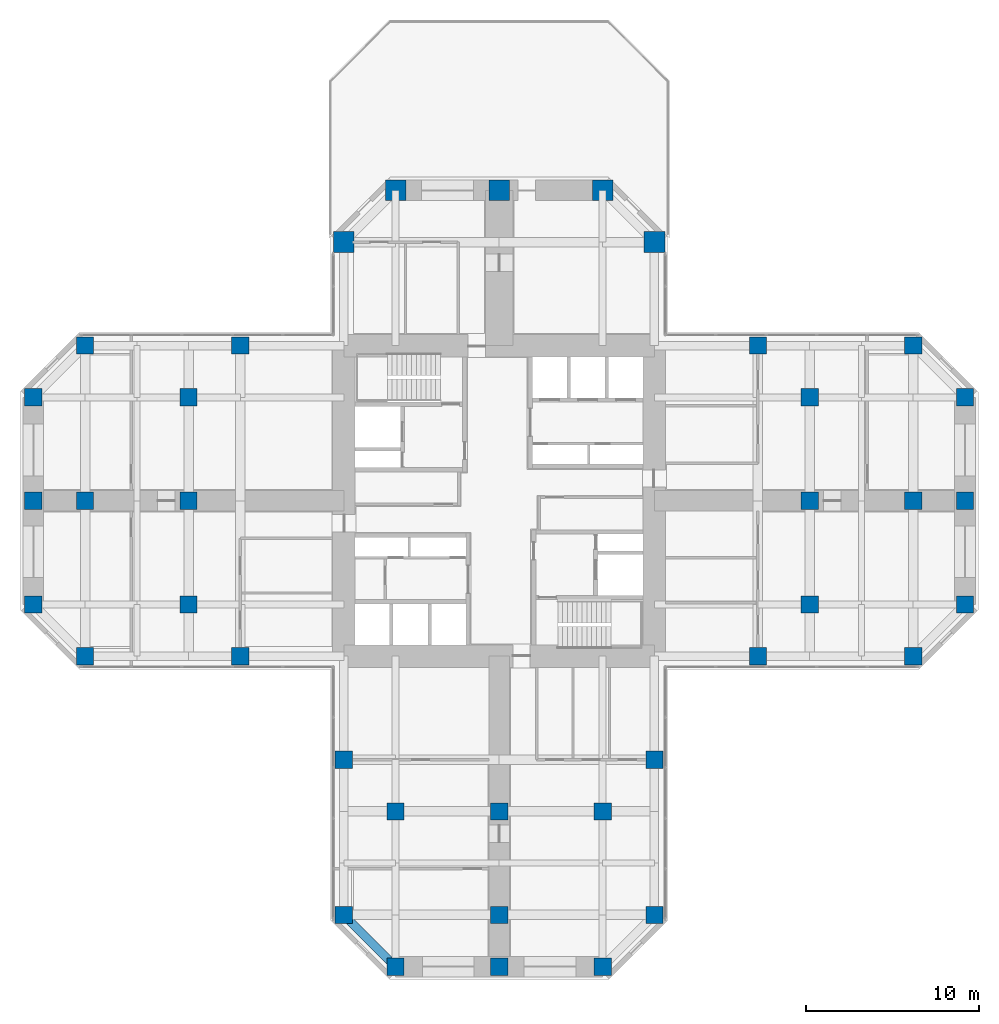
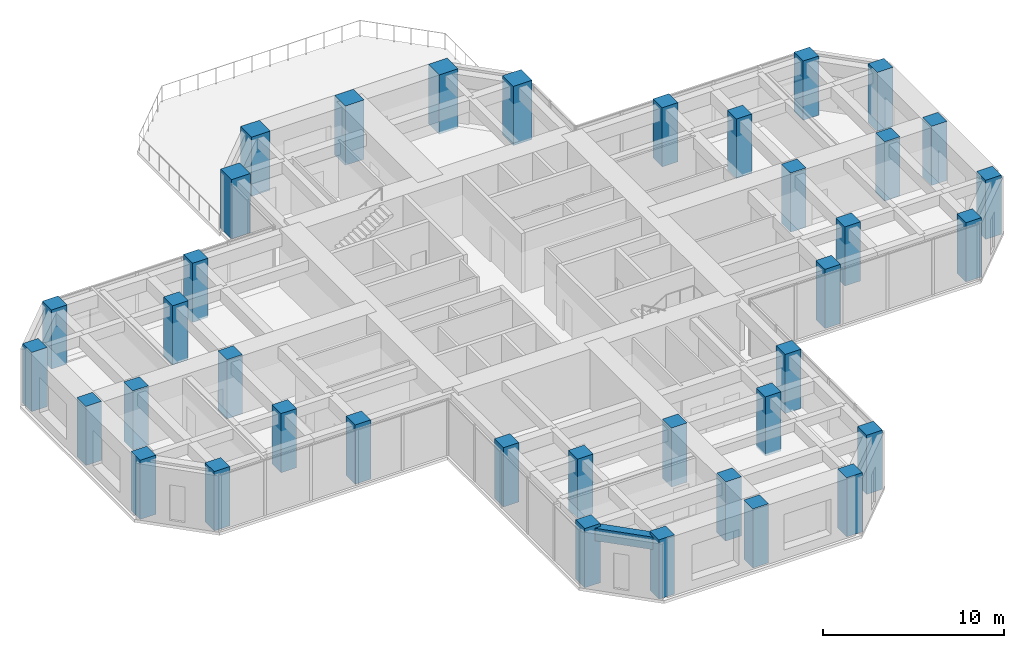
# One storey, part 1 of 12: 38 columns, 1 beam.
"""IFC4 building model written with IfcOpenShell, lengths in metres."""

from ifc_helpers import new_model, si_unit, direction, frame, origin, origin_2d, place, context, subcontext, project, spatial, rectangle, extrude, material, material_profile, profile_set, type_object, element, save


model = new_model("IFC4")

# Units and contexts
model_context = context("Model", 3, precision=1e-05, world=origin(), true_north=direction((0.0, 1.0)))
body_context = subcontext(model_context, "Body", "Model", "MODEL_VIEW")
ifc_project = project(units=[si_unit("LENGTHUNIT", "METRE"), si_unit("AREAUNIT", "SQUARE_METRE"), si_unit("VOLUMEUNIT", "CUBIC_METRE"), si_unit("PLANEANGLEUNIT", "RADIAN"), si_unit("MASSUNIT", "GRAM", prefix="KILO")], contexts=[model_context])

# Site, building, storey
site_placement = place(None, origin())
site = spatial("IfcSite", under=ifc_project, at=site_placement, CompositionType="ELEMENT")
building_placement = place(site_placement, origin())
building = spatial("IfcBuilding", under=site, at=building_placement, Name="Torre Cruceta", CompositionType="ELEMENT")
storey_placement = place(building_placement, frame((0.0, 0.0, 100.5)))
storey = spatial("IfcBuildingStorey", under=building, at=storey_placement, Name="L24", CompositionType="ELEMENT", Elevation=100.5)

# Columns
ifc_material_1 = material(Name="Concrete G60 (fck 60 MPa)", Category="concrete")
ifc_material_profile_1 = material_profile(ifc_material_1, rectangle(XDim=1.0, YDim=1.0, at=origin_2d()), Name="RC 1000X1000")
ifc_profile_set_1 = profile_set([ifc_material_profile_1], Name="Concrete G60 (fck 60 MPa)")
column_type_1 = type_object("IfcColumnType", Name="COLUMN RC 1000X1000", PredefinedType="COLUMN", material=ifc_profile_set_1)
for number, where, z_axis, x_axis, name in (
    (1, (15.0, -9.0, 0.0), (0.0, 0.0, 1.0), (1.0, 0.0, 0.0), "C5 L24 E side"),
    (2, (24.0, -9.0, 0.0), (0.0, 0.0, 1.0), (1.0, 0.0, 0.0), "C5 L24 E chamfer"),
    (3, (15.0, 9.0, 0.0), (0.0, 0.0, 1.0), (1.0, 0.0, 0.0), "C5 L24 E side"),
    (4, (24.0, 9.0, 0.0), (0.0, 0.0, 1.0), (1.0, 0.0, 0.0), "C5 L24 E chamfer"),
    (5, (27.0, -6.0, 0.0), (0.0, 0.0, 1.0), (1.0, 0.0, 0.0), "C5 L24 E tip"),
    (6, (27.0, 0.0, 0.0), (0.0, 0.0, 1.0), (1.0, 0.0, 0.0), "C5 L24 E tip"),
    (7, (27.0, 6.0, 0.0), (0.0, 0.0, 1.0), (1.0, 0.0, 0.0), "C5 L24 E tip"),
    (8, (-9.0, -15.0, 0.0), (0.0, 0.0, 1.0), (1.0, 0.0, 0.0), "C5 L24 S side"),
    (9, (-9.0, -24.0, 0.0), (0.0, 0.0, 1.0), (1.0, 0.0, 0.0), "C5 L24 S chamfer"),
    (10, (9.0, -15.0, 0.0), (0.0, 0.0, 1.0), (1.0, 0.0, 0.0), "C5 L24 S side"),
    (11, (9.0, -24.0, 0.0), (0.0, 0.0, 1.0), (1.0, 0.0, 0.0), "C5 L24 S chamfer"),
    (12, (-6.0, -27.0, 0.0), (0.0, 0.0, 1.0), (1.0, 0.0, 0.0), "C5 L24 S tip"),
    (13, (0.0, -27.0, 0.0), (0.0, 0.0, 1.0), (1.0, 0.0, 0.0), "C5 L24 S tip"),
    (14, (6.0, -27.0, 0.0), (0.0, 0.0, 1.0), (1.0, 0.0, 0.0), "C5 L24 S tip"),
    (15, (-15.0, 9.0, 0.0), (0.0, 0.0, 1.0), (1.0, 0.0, 0.0), "C5 L24 W side"),
    (16, (-24.0, 9.0, 0.0), (0.0, 0.0, 1.0), (1.0, 0.0, 0.0), "C5 L24 W chamfer"),
    (17, (-15.0, -9.0, 0.0), (0.0, 0.0, 1.0), (1.0, 0.0, 0.0), "C5 L24 W side"),
    (18, (-24.0, -9.0, 0.0), (0.0, 0.0, 1.0), (1.0, 0.0, 0.0), "C5 L24 W chamfer"),
    (19, (-27.0, 6.0, 0.0), (0.0, 0.0, 1.0), (1.0, 0.0, 0.0), "C5 L24 W tip"),
    (20, (-27.0, 0.0, 0.0), (0.0, 0.0, 1.0), (1.0, 0.0, 0.0), "C5 L24 W tip"),
    (21, (-27.0, -6.0, 0.0), (0.0, 0.0, 1.0), (1.0, 0.0, 0.0), "C5 L24 W tip"),
    (22, (18.0, -6.0, 0.0), (0.0, 0.0, 1.0), (1.0, 0.0, 0.0), "C5 L24 E interior"),
    (23, (18.0, 0.0, 0.0), (0.0, 0.0, 1.0), (1.0, 0.0, 0.0), "C5 L24 E interior"),
    (24, (18.0, 6.0, 0.0), (0.0, 0.0, 1.0), (1.0, 0.0, 0.0), "C5 L24 E interior"),
    (25, (24.0, 0.0, 0.0), (0.0, 0.0, 1.0), (1.0, 0.0, 0.0), "C5 L24 E interior"),
    (26, (-6.0, -18.0, 0.0), (0.0, 0.0, 1.0), (1.0, 0.0, 0.0), "C5 L24 S interior"),
    (27, (0.0, -18.0, 0.0), (0.0, 0.0, 1.0), (1.0, 0.0, 0.0), "C5 L24 S interior"),
    (28, (6.0, -18.0, 0.0), (0.0, 0.0, 1.0), (1.0, 0.0, 0.0), "C5 L24 S interior"),
    (29, (0.0, -24.0, 0.0), (0.0, 0.0, 1.0), (1.0, 0.0, 0.0), "C5 L24 S interior"),
    (30, (-18.0, 6.0, 0.0), (0.0, 0.0, 1.0), (1.0, 0.0, 0.0), "C5 L24 W interior"),
    (31, (-18.0, 0.0, 0.0), (0.0, 0.0, 1.0), (1.0, 0.0, 0.0), "C5 L24 W interior"),
    (32, (-18.0, -6.0, 0.0), (0.0, 0.0, 1.0), (1.0, 0.0, 0.0), "C5 L24 W interior"),
    (33, (-24.0, 0.0, 0.0), (0.0, 0.0, 1.0), (1.0, 0.0, 0.0), "C5 L24 W interior"),
):
    element("IfcColumn", number, at=place(storey_placement, frame(where, z_axis=z_axis, x_axis=x_axis)), inside=storey, type_object=column_type_1, Name=name, PredefinedType="COLUMN", context=body_context, shape_type="SweptSolid", body=[
        extrude(rectangle(XDim=1.0, YDim=1.0, at=origin_2d()), origin(), (0.0, 0.0, 1.0), 4.0),
    ])
ifc_material_2 = material(Name="Concrete G60 (fck 60 MPa)", Category="concrete")
ifc_material_profile_2 = material_profile(ifc_material_2, rectangle(XDim=1.199951171875, YDim=1.199951171875, at=origin_2d()), Name="RC 1200X1200")
ifc_profile_set_2 = profile_set([ifc_material_profile_2], Name="Concrete G60 (fck 60 MPa)")
column_type_2 = type_object("IfcColumnType", Name="COLUMN RC 1200X1200", PredefinedType="COLUMN", material=ifc_profile_set_2)
for number, where, z_axis, x_axis, name in (
    (34, (9.0, 15.0, 0.0), (0.0, 0.0, 1.0), (1.0, 0.0, 0.0), "C3 L24 N chamfer"),
    (35, (-9.0, 15.0, 0.0), (0.0, 0.0, 1.0), (1.0, 0.0, 0.0), "C3 L24 N chamfer"),
    (36, (6.0, 18.0, 0.0), (0.0, 0.0, 1.0), (1.0, 0.0, 0.0), "C3 L24 N tip"),
    (37, (0.0, 18.0, 0.0), (0.0, 0.0, 1.0), (1.0, 0.0, 0.0), "C3 L24 N tip"),
    (38, (-6.0, 18.0, 0.0), (0.0, 0.0, 1.0), (1.0, 0.0, 0.0), "C3 L24 N tip"),
):
    element("IfcColumn", number, at=place(storey_placement, frame(where, z_axis=z_axis, x_axis=x_axis)), inside=storey, type_object=column_type_2, Name=name, PredefinedType="COLUMN", context=body_context, shape_type="SweptSolid", body=[
        extrude(rectangle(XDim=1.199951171875, YDim=1.199951171875, at=origin_2d()), origin(), (0.0, 0.0, 1.0), 4.0),
    ])

# Beam
ifc_material_3 = material(Name="Concrete G60 (fck 60 MPa)", Category="concrete")
ifc_material_profile_3 = material_profile(ifc_material_3, rectangle(XDim=0.5, YDim=0.85009765625, at=origin_2d()), Name="RC 500X850")
ifc_profile_set_3 = profile_set([ifc_material_profile_3], Name="Concrete G60 (fck 60 MPa)")
beam_type = type_object("IfcBeamType", Name="SPANDREL BEAM RC 500X850", PredefinedType="SPANDREL", material=ifc_profile_set_3)
beam_placement = place(storey_placement, frame((-9.0, -24.0, 3.375), z_axis=(0.707106781187, -0.707106781187, 0.0), x_axis=(0.707106781187, 0.707106781187, 0.0)))
element("IfcBeam", 39, at=beam_placement, inside=storey, type_object=beam_type, Name="SB5 L24 S side- 5", PredefinedType="SPANDREL", context=body_context, shape_type="SweptSolid", body=[
    extrude(rectangle(XDim=0.5, YDim=0.85009765625, at=origin_2d()), origin(), (0.0, 0.0, 1.0), 4.24267578125),
])

save(model, "model.ifc")
